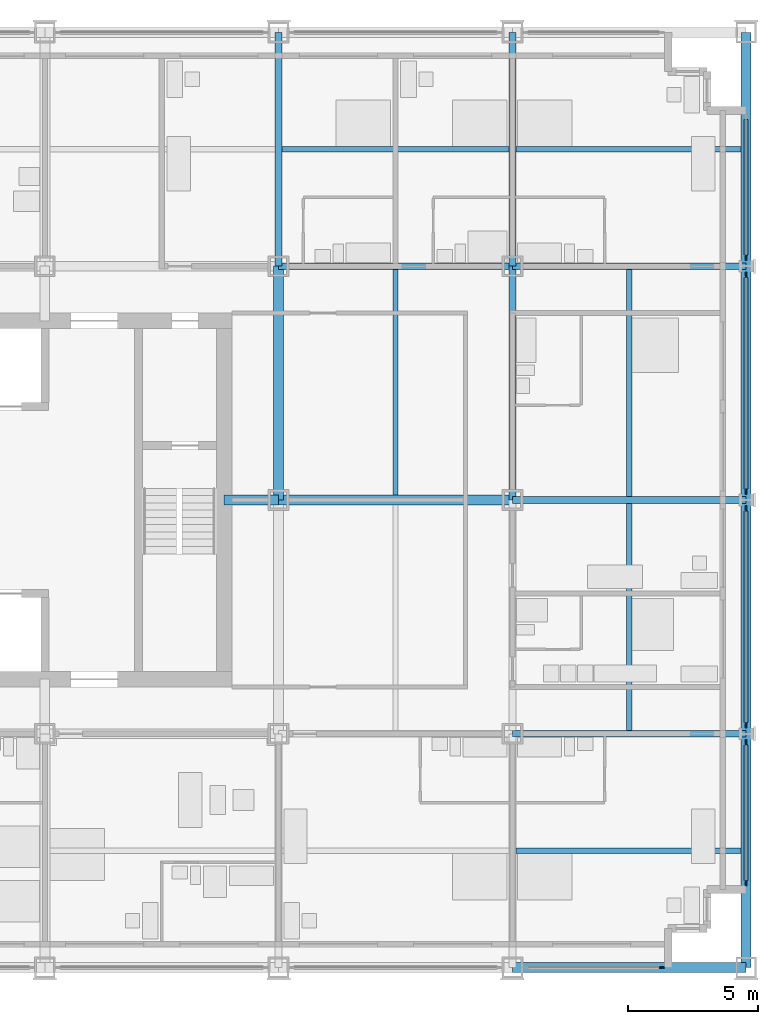
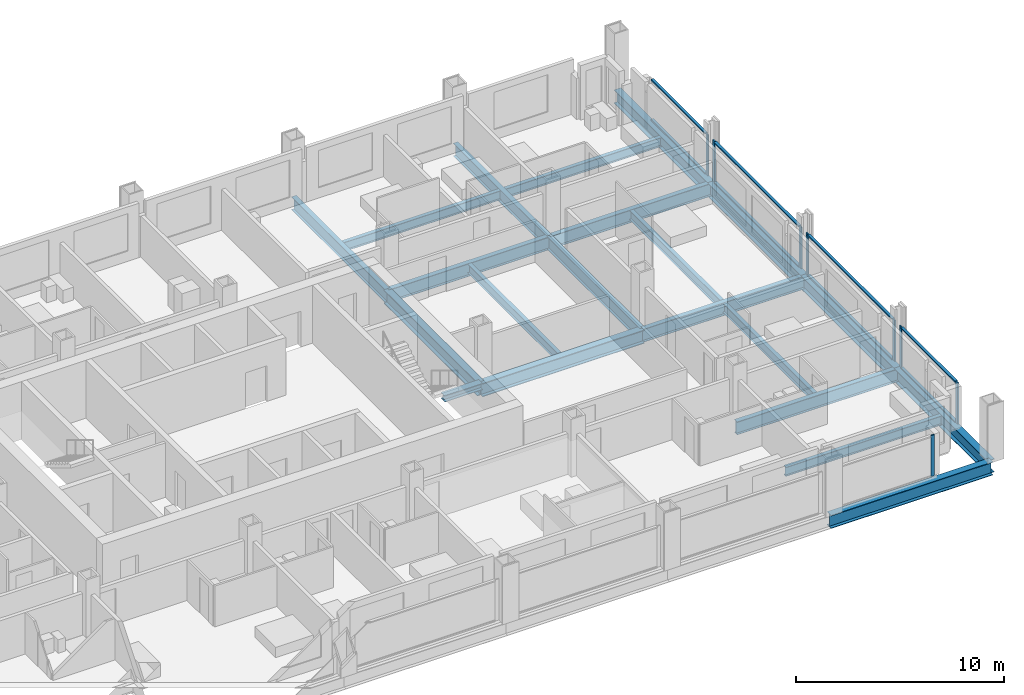
# One storey, part 6 of 18: 20 beams, 17 members, 5 elements without a shape of their own.
"""IFC4 building model written with IfcOpenShell, lengths in metres."""

from ifc_helpers import new_model, si_unit, direction, frame, origin, origin_2d, place, context, subcontext, project, spatial, rectangle, i_section, extrude, material, material_profile, profile_set, type_object, element, aggregate, save


model = new_model("IFC4")

# Units and contexts
model_context = context("Model", 3, precision=1e-05, world=origin(), true_north=direction((0.0, 1.0)))
body_context = subcontext(model_context, "Body", "Model", "MODEL_VIEW")
ifc_project = project(units=[si_unit("LENGTHUNIT", "METRE"), si_unit("AREAUNIT", "SQUARE_METRE"), si_unit("VOLUMEUNIT", "CUBIC_METRE"), si_unit("PLANEANGLEUNIT", "RADIAN"), si_unit("MASSUNIT", "GRAM", prefix="KILO")], contexts=[model_context])

# Site, building, storey
site_placement = place(None, origin())
site = spatial("IfcSite", under=ifc_project, at=site_placement, CompositionType="ELEMENT")
building_placement = place(site_placement, origin())
building = spatial("IfcBuilding", under=site, at=building_placement, Name="Loomwork Tower", CompositionType="ELEMENT")
storey_placement = place(building_placement, frame((0.0, 0.0, 68.800048828125)))
storey = spatial("IfcBuildingStorey", under=building, at=storey_placement, Name="L17", CompositionType="ELEMENT", Elevation=68.800048828125)

# Beams
ifc_material_1 = material(Name="Steel ASTM A992", Category="steel")
ifc_material_profile_1 = material_profile(ifc_material_1, i_section(OverallWidth=0.383544921875, OverallDepth=0.794921875, WebThickness=0.02099609375, FlangeThickness=0.0380859375, at=origin_2d()), Name="W30x235")
ifc_profile_set_1 = profile_set([ifc_material_profile_1], Name="Steel ASTM A992")
beam_type_1 = type_object("IfcBeamType", Name="CORE FLANK GIRDER W30x235", PredefinedType="BEAM", material=ifc_profile_set_1)
for number, where, z_axis, x_axis, name in (
    (1, (36.0, 18.0, -0.59765625), (1.0, 0.0, 0.0), (0.0, 1.0, 0.0), "Core Flank Girder F/6-F/7 L17"),
    (2, (36.0, 18.0, -0.59765625), (0.0, 1.0, 0.0), (-1.0, 0.0, 0.0), "Core Flank Girder F/6-G/6 L17"),
):
    element("IfcBeam", number, at=place(storey_placement, frame(where, z_axis=z_axis, x_axis=x_axis)), inside=storey, type_object=beam_type_1, Name=name, PredefinedType="BEAM", context=body_context, shape_type="SweptSolid", body=[
        extrude(i_section(OverallWidth=0.383544921875, OverallDepth=0.794921875, WebThickness=0.02099609375, FlangeThickness=0.0380859375, at=origin_2d()), origin(), (0.0, 0.0, 1.0), 9.0),
    ])

# Member
ifc_material_2 = material(Name="Steel ASTM A992", Category="steel")
ifc_material_profile_2 = material_profile(ifc_material_2, i_section(OverallWidth=0.373291015625, OverallDepth=0.373291015625, WebThickness=0.016357421875, FlangeThickness=0.026123046875, at=origin_2d()), Name="W14x132")
ifc_profile_set_2 = profile_set([ifc_material_profile_2], Name="Steel ASTM A992")
member_type_1 = type_object("IfcMemberType", Name="CORE LINK STRUT W14x132", PredefinedType="STRUT", material=ifc_profile_set_2)
member_1_placement = place(storey_placement, frame((36.0, 18.0, -0.38671875), z_axis=(-1.0, 0.0, 0.0), x_axis=(0.0, -1.0, 0.0)))
element("IfcMember", 3, at=member_1_placement, inside=storey, type_object=member_type_1, Name="Core link strut F/6-33.900,18.000 L17", PredefinedType="STRUT", context=body_context, shape_type="SweptSolid", body=[
    extrude(i_section(OverallWidth=0.373291015625, OverallDepth=0.373291015625, WebThickness=0.016357421875, FlangeThickness=0.026123046875, at=origin_2d()), origin(), (0.0, 0.0, 1.0), 2.10009765625),
])

# Beams
ifc_material_3 = material(Name="Steel ASTM A992", Category="steel")
ifc_material_profile_3 = material_profile(ifc_material_3, i_section(OverallWidth=0.2666015625, OverallDepth=0.761962890625, WebThickness=0.014404296875, FlangeThickness=0.021484375, at=origin_2d()), Name="W30x116")
ifc_profile_set_3 = profile_set([ifc_material_profile_3], Name="Steel ASTM A992")
beam_type_2 = type_object("IfcBeamType", Name="FLOOR GIRDER W30x116", PredefinedType="BEAM", material=ifc_profile_set_3)
for number, where, z_axis, x_axis, name in (
    (4, (45.0, 9.0, -0.5810546875), (1.0, 0.0, 0.0), (0.0, 1.0, 0.0), "Floor Girder E/7-E/8 L17"),
    (5, (45.0, 18.0, -0.5810546875), (1.0, 0.0, 0.0), (0.0, 1.0, 0.0), "Floor Girder F/7-F/8 L17"),
    (6, (36.0, 27.0, -0.5810546875), (1.0, 0.0, 0.0), (0.0, 1.0, 0.0), "Floor Girder G/6-G/7 L17"),
    (7, (45.0, 27.0, -0.5810546875), (1.0, 0.0, 0.0), (0.0, 1.0, 0.0), "Floor Girder G/7-G/8 L17"),
    (8, (36.0, 27.0, -0.5810546875), (0.0, 1.0, 0.0), (-1.0, 0.0, 0.0), "Floor Girder G/6-H/6 L17"),
    (9, (45.0, 18.0, -0.5810546875), (0.0, 1.0, 0.0), (-1.0, 0.0, 0.0), "Floor Girder F/7-G/7 L17"),
    (10, (45.0, 27.0, -0.5810546875), (0.0, 1.0, 0.0), (-1.0, 0.0, 0.0), "Floor Girder G/7-H/7 L17"),
):
    element("IfcBeam", number, at=place(storey_placement, frame(where, z_axis=z_axis, x_axis=x_axis)), inside=storey, type_object=beam_type_2, Name=name, PredefinedType="BEAM", context=body_context, shape_type="SweptSolid", body=[
        extrude(i_section(OverallWidth=0.2666015625, OverallDepth=0.761962890625, WebThickness=0.014404296875, FlangeThickness=0.021484375, at=origin_2d()), origin(), (0.0, 0.0, 1.0), 9.0),
    ])
ifc_material_4 = material(Name="Steel ASTM A992", Category="steel")
ifc_material_profile_4 = material_profile(ifc_material_4, i_section(OverallWidth=0.2109375, OverallDepth=0.53857421875, WebThickness=0.011474609375, FlangeThickness=0.018798828125, at=origin_2d()), Name="W21x73")
ifc_profile_set_4 = profile_set([ifc_material_profile_4], Name="Steel ASTM A992")
beam_type_3 = type_object("IfcBeamType", Name="FLOOR JOIST W21x73", PredefinedType="JOIST", material=ifc_profile_set_4)
beam_1_placement = place(storey_placement, frame((40.5, 18.19091796875, -0.46923828125), z_axis=(0.0, 1.0, 0.0), x_axis=(-1.0, 0.0, 0.0)))
element("IfcBeam", 11, at=beam_1_placement, inside=storey, type_object=beam_type_3, Name="Floor Joist 40.500,18.000-40.500,27.000 L17", PredefinedType="JOIST", context=body_context, shape_type="SweptSolid", body=[
    extrude(i_section(OverallWidth=0.2109375, OverallDepth=0.53857421875, WebThickness=0.011474609375, FlangeThickness=0.018798828125, at=origin_2d()), origin(), (0.0, 0.0, 1.0), 8.676025390625),
])
beam_2_placement = place(storey_placement, frame((36.133056640625, 31.5, -0.46923828125), z_axis=(1.0, 0.0, 0.0), x_axis=(0.0, 1.0, 0.0)))
element("IfcBeam", 12, at=beam_2_placement, inside=storey, type_object=beam_type_3, Name="Floor Joist 36.000,31.500-45.000,31.500 L17", PredefinedType="JOIST", context=body_context, shape_type="SweptSolid", body=[
    extrude(i_section(OverallWidth=0.2109375, OverallDepth=0.53857421875, WebThickness=0.011474609375, FlangeThickness=0.018798828125, at=origin_2d()), origin(), (0.0, 0.0, 1.0), 8.73388671875),
])
beam_3_placement = place(storey_placement, frame((45.133056640625, 4.5, -0.46923828125), z_axis=(1.0, 0.0, 0.0), x_axis=(0.0, 1.0, 0.0)))
element("IfcBeam", 13, at=beam_3_placement, inside=storey, type_object=beam_type_3, Name="Floor Joist 45.000,4.500-54.000,4.500 L17", PredefinedType="JOIST", context=body_context, shape_type="SweptSolid", body=[
    extrude(i_section(OverallWidth=0.2109375, OverallDepth=0.53857421875, WebThickness=0.011474609375, FlangeThickness=0.018798828125, at=origin_2d()), origin(), (0.0, 0.0, 1.0), 8.677001953125),
])
for number, where, z_axis, x_axis, name in (
    (14, (49.5, 9.133056640625, -0.46923828125), (0.0, 1.0, 0.0), (-1.0, 0.0, 0.0), "Floor Joist 49.500,9.000-49.500,18.000 L17"),
    (15, (49.5, 18.133056640625, -0.46923828125), (0.0, 1.0, 0.0), (-1.0, 0.0, 0.0), "Floor Joist 49.500,18.000-49.500,27.000 L17"),
):
    element("IfcBeam", number, at=place(storey_placement, frame(where, z_axis=z_axis, x_axis=x_axis)), inside=storey, type_object=beam_type_3, Name=name, PredefinedType="JOIST", context=body_context, shape_type="SweptSolid", body=[
        extrude(i_section(OverallWidth=0.2109375, OverallDepth=0.53857421875, WebThickness=0.011474609375, FlangeThickness=0.018798828125, at=origin_2d()), origin(), (0.0, 0.0, 1.0), 8.73388671875),
    ])
beam_4_placement = place(storey_placement, frame((45.133056640625, 31.5, -0.46923828125), z_axis=(1.0, 0.0, 0.0), x_axis=(0.0, 1.0, 0.0)))
element("IfcBeam", 16, at=beam_4_placement, inside=storey, type_object=beam_type_3, Name="Floor Joist 45.000,31.500-54.000,31.500 L17", PredefinedType="JOIST", context=body_context, shape_type="SweptSolid", body=[
    extrude(i_section(OverallWidth=0.2109375, OverallDepth=0.53857421875, WebThickness=0.011474609375, FlangeThickness=0.018798828125, at=origin_2d()), origin(), (0.0, 0.0, 1.0), 8.677001953125),
])

# Curtain wall, member
ifc_material_5 = material(Name="Aluminium curtain wall frame", Category="aluminium")
curtain_wall_type = type_object("IfcCurtainWallType", Name="Outer skin glazing hotel", PredefinedType="NOTDEFINED", material=ifc_material_5)
curtain_wall_1_placement = place(storey_placement, origin())
curtain_wall_1 = element("IfcCurtainWall", 17, at=curtain_wall_1_placement, inside=storey, type_object=curtain_wall_type, Name="Outer skin glazing hotel cw/S-45", PredefinedType="NOTDEFINED")
ifc_material_6 = material(Name="Aluminium curtain wall frame", Category="aluminium")
ifc_material_profile_5 = material_profile(ifc_material_6, rectangle(XDim=0.06494140625, YDim=0.199951171875, at=origin_2d()), Name="AL 65x200")
ifc_profile_set_5 = profile_set([ifc_material_profile_5], Name="Aluminium curtain wall frame")
member_type_2 = type_object("IfcMemberType", Name="Outer skin glazing hotel mullion", PredefinedType="MULLION", material=ifc_profile_set_5)
member_2_placement = place(storey_placement, frame((50.75, 0.0, 0.0), z_axis=(0.0, 0.0, 1.0), x_axis=(0.0, 1.0, 0.0)))
member_2 = element("IfcMember", 18, at=member_2_placement, type_object=member_type_2, Name="CW1 mullion 2", PredefinedType="MULLION", context=body_context, shape_type="SweptSolid", body=[
    extrude(rectangle(XDim=0.06494140625, YDim=0.199951171875, at=origin_2d()), origin(), (0.0, 0.0, 1.0), 2.420166015625),
])
aggregate(curtain_wall_1, [member_2])

# Curtain wall, members
curtain_wall_2_placement = place(storey_placement, origin())
curtain_wall_2 = element("IfcCurtainWall", 19, at=curtain_wall_2_placement, inside=storey, type_object=curtain_wall_type, Name="Outer skin glazing hotel cw/E-0", PredefinedType="NOTDEFINED")
member_3_placement = place(storey_placement, frame((54.0, 3.25, 0.0), z_axis=(0.0, 0.0, 1.0), x_axis=(-1.0, 0.0, 0.0)))
member_3 = element("IfcMember", 20, at=member_3_placement, type_object=member_type_2, Name="CW1 mullion 1", PredefinedType="MULLION", context=body_context, shape_type="SweptSolid", body=[
    extrude(rectangle(XDim=0.06494140625, YDim=0.199951171875, at=origin_2d()), origin(), (0.0, 0.0, 1.0), 2.420166015625),
])
member_4_placement = place(storey_placement, frame((54.0, 8.672607421875, 0.0), z_axis=(0.0, 0.0, 1.0), x_axis=(-1.0, 0.0, 0.0)))
member_4 = element("IfcMember", 21, at=member_4_placement, type_object=member_type_2, Name="CW1 mullion 2", PredefinedType="MULLION", context=body_context, shape_type="SweptSolid", body=[
    extrude(rectangle(XDim=0.06494140625, YDim=0.199951171875, at=origin_2d()), origin(), (0.0, 0.0, 1.0), 2.420166015625),
])

curtain_wall_3_placement = place(storey_placement, origin())
curtain_wall_3 = element("IfcCurtainWall", 22, at=curtain_wall_3_placement, inside=storey, type_object=curtain_wall_type, Name="Outer skin glazing hotel cw/E-9", PredefinedType="NOTDEFINED")
member_5_placement = place(storey_placement, frame((54.0, 9.327392578125, 0.0), z_axis=(0.0, 0.0, 1.0), x_axis=(-1.0, 0.0, 0.0)))
member_5 = element("IfcMember", 23, at=member_5_placement, type_object=member_type_2, Name="CW1 mullion 1", PredefinedType="MULLION", context=body_context, shape_type="SweptSolid", body=[
    extrude(rectangle(XDim=0.06494140625, YDim=0.199951171875, at=origin_2d()), origin(), (0.0, 0.0, 1.0), 2.420166015625),
])
member_6_placement = place(storey_placement, frame((54.0, 17.672607421875, 0.0), z_axis=(0.0, 0.0, 1.0), x_axis=(-1.0, 0.0, 0.0)))
member_6 = element("IfcMember", 24, at=member_6_placement, type_object=member_type_2, Name="CW1 mullion 2", PredefinedType="MULLION", context=body_context, shape_type="SweptSolid", body=[
    extrude(rectangle(XDim=0.06494140625, YDim=0.199951171875, at=origin_2d()), origin(), (0.0, 0.0, 1.0), 2.420166015625),
])

curtain_wall_4_placement = place(storey_placement, origin())
curtain_wall_4 = element("IfcCurtainWall", 25, at=curtain_wall_4_placement, inside=storey, type_object=curtain_wall_type, Name="Outer skin glazing hotel cw/E-18", PredefinedType="NOTDEFINED")
member_7_placement = place(storey_placement, frame((54.0, 18.327392578125, 0.0), z_axis=(0.0, 0.0, 1.0), x_axis=(-1.0, 0.0, 0.0)))
member_7 = element("IfcMember", 26, at=member_7_placement, type_object=member_type_2, Name="CW1 mullion 1", PredefinedType="MULLION", context=body_context, shape_type="SweptSolid", body=[
    extrude(rectangle(XDim=0.06494140625, YDim=0.199951171875, at=origin_2d()), origin(), (0.0, 0.0, 1.0), 2.420166015625),
])
member_8_placement = place(storey_placement, frame((54.0, 26.672607421875, 0.0), z_axis=(0.0, 0.0, 1.0), x_axis=(-1.0, 0.0, 0.0)))
member_8 = element("IfcMember", 27, at=member_8_placement, type_object=member_type_2, Name="CW1 mullion 2", PredefinedType="MULLION", context=body_context, shape_type="SweptSolid", body=[
    extrude(rectangle(XDim=0.06494140625, YDim=0.199951171875, at=origin_2d()), origin(), (0.0, 0.0, 1.0), 2.420166015625),
])

# Curtain wall, member
curtain_wall_5_placement = place(storey_placement, origin())
curtain_wall_5 = element("IfcCurtainWall", 28, at=curtain_wall_5_placement, inside=storey, type_object=curtain_wall_type, Name="Outer skin glazing hotel cw/E-27", PredefinedType="NOTDEFINED")
member_9_placement = place(storey_placement, frame((54.0, 27.327392578125, 0.0), z_axis=(0.0, 0.0, 1.0), x_axis=(-1.0, 0.0, 0.0)))
member_9 = element("IfcMember", 29, at=member_9_placement, type_object=member_type_2, Name="CW1 mullion 1", PredefinedType="MULLION", context=body_context, shape_type="SweptSolid", body=[
    extrude(rectangle(XDim=0.06494140625, YDim=0.199951171875, at=origin_2d()), origin(), (0.0, 0.0, 1.0), 2.420166015625),
])

# Member
ifc_material_7 = material(Name="Aluminium curtain wall frame", Category="aluminium")
ifc_material_profile_6 = material_profile(ifc_material_7, rectangle(XDim=0.14990234375, YDim=0.06494140625, at=origin_2d()), Name="AL 65x150")
ifc_profile_set_6 = profile_set([ifc_material_profile_6], Name="Aluminium curtain wall frame")
member_type_3 = type_object("IfcMemberType", Name="Outer skin glazing hotel transom", PredefinedType="USERDEFINED", material=ifc_profile_set_6)
member_10_placement = place(storey_placement, frame((54.0, 3.35009765625, 0.032470703125), z_axis=(0.0, 1.0, 0.0), x_axis=(-1.0, 0.0, 0.0)))
member_10 = element("IfcMember", 30, at=member_10_placement, type_object=member_type_3, Name="CW1 transom 1.1", ObjectType="TRANSOM", PredefinedType="USERDEFINED", context=body_context, shape_type="SweptSolid", body=[
    extrude(rectangle(XDim=0.14990234375, YDim=0.06494140625, at=origin_2d()), origin(), (0.0, 0.0, 1.0), 5.22265625),
])

member_11_placement = place(storey_placement, frame((54.0, 3.35009765625, 2.3876953125), z_axis=(0.0, 1.0, 0.0), x_axis=(-1.0, 0.0, 0.0)))
member_11 = element("IfcMember", 31, at=member_11_placement, type_object=member_type_3, Name="CW1 transom 1.2", ObjectType="TRANSOM", PredefinedType="USERDEFINED", context=body_context, shape_type="SweptSolid", body=[
    extrude(rectangle(XDim=0.14990234375, YDim=0.06494140625, at=origin_2d()), origin(), (0.0, 0.0, 1.0), 5.22265625),
])

aggregate(curtain_wall_2, [member_3, member_4, member_10, member_11])

member_12_placement = place(storey_placement, frame((54.0, 9.42724609375, 0.032470703125), z_axis=(0.0, 1.0, 0.0), x_axis=(-1.0, 0.0, 0.0)))
member_12 = element("IfcMember", 32, at=member_12_placement, type_object=member_type_3, Name="CW1 transom 1.1", ObjectType="TRANSOM", PredefinedType="USERDEFINED", context=body_context, shape_type="SweptSolid", body=[
    extrude(rectangle(XDim=0.14990234375, YDim=0.06494140625, at=origin_2d()), origin(), (0.0, 0.0, 1.0), 8.1455078125),
])

member_13_placement = place(storey_placement, frame((54.0, 9.42724609375, 2.3876953125), z_axis=(0.0, 1.0, 0.0), x_axis=(-1.0, 0.0, 0.0)))
member_13 = element("IfcMember", 33, at=member_13_placement, type_object=member_type_3, Name="CW1 transom 1.2", ObjectType="TRANSOM", PredefinedType="USERDEFINED", context=body_context, shape_type="SweptSolid", body=[
    extrude(rectangle(XDim=0.14990234375, YDim=0.06494140625, at=origin_2d()), origin(), (0.0, 0.0, 1.0), 8.1455078125),
])

aggregate(curtain_wall_3, [member_5, member_6, member_12, member_13])

member_14_placement = place(storey_placement, frame((54.0, 18.42724609375, 0.032470703125), z_axis=(0.0, 1.0, 0.0), x_axis=(-1.0, 0.0, 0.0)))
member_14 = element("IfcMember", 34, at=member_14_placement, type_object=member_type_3, Name="CW1 transom 1.1", ObjectType="TRANSOM", PredefinedType="USERDEFINED", context=body_context, shape_type="SweptSolid", body=[
    extrude(rectangle(XDim=0.14990234375, YDim=0.06494140625, at=origin_2d()), origin(), (0.0, 0.0, 1.0), 8.1455078125),
])

member_15_placement = place(storey_placement, frame((54.0, 18.42724609375, 2.3876953125), z_axis=(0.0, 1.0, 0.0), x_axis=(-1.0, 0.0, 0.0)))
member_15 = element("IfcMember", 35, at=member_15_placement, type_object=member_type_3, Name="CW1 transom 1.2", ObjectType="TRANSOM", PredefinedType="USERDEFINED", context=body_context, shape_type="SweptSolid", body=[
    extrude(rectangle(XDim=0.14990234375, YDim=0.06494140625, at=origin_2d()), origin(), (0.0, 0.0, 1.0), 8.1455078125),
])

aggregate(curtain_wall_4, [member_7, member_8, member_14, member_15])

member_16_placement = place(storey_placement, frame((54.0, 27.42724609375, 0.032470703125), z_axis=(0.0, 1.0, 0.0), x_axis=(-1.0, 0.0, 0.0)))
member_16 = element("IfcMember", 36, at=member_16_placement, type_object=member_type_3, Name="CW1 transom 1.1", ObjectType="TRANSOM", PredefinedType="USERDEFINED", context=body_context, shape_type="SweptSolid", body=[
    extrude(rectangle(XDim=0.14990234375, YDim=0.06494140625, at=origin_2d()), origin(), (0.0, 0.0, 1.0), 5.22265625),
])

member_17_placement = place(storey_placement, frame((54.0, 27.42724609375, 2.3876953125), z_axis=(0.0, 1.0, 0.0), x_axis=(-1.0, 0.0, 0.0)))
member_17 = element("IfcMember", 37, at=member_17_placement, type_object=member_type_3, Name="CW1 transom 1.2", ObjectType="TRANSOM", PredefinedType="USERDEFINED", context=body_context, shape_type="SweptSolid", body=[
    extrude(rectangle(XDim=0.14990234375, YDim=0.06494140625, at=origin_2d()), origin(), (0.0, 0.0, 1.0), 5.22265625),
])

aggregate(curtain_wall_5, [member_9, member_16, member_17])

# Beams
ifc_material_8 = material(Name="Steel ASTM A992", Category="steel")
ifc_material_profile_7 = material_profile(ifc_material_8, i_section(OverallWidth=0.381103515625, OverallDepth=0.77978515625, WebThickness=0.01806640625, FlangeThickness=0.0302734375, at=origin_2d()), Name="W30x191")
ifc_profile_set_7 = profile_set([ifc_material_profile_7], Name="Steel ASTM A992")
beam_type_4 = type_object("IfcBeamType", Name="SPANDREL GIRDER W30x191", PredefinedType="SPANDREL", material=ifc_profile_set_7)
for number, where, z_axis, x_axis, name in (
    (38, (45.0, 0.0, -0.58984375), (1.0, 0.0, 0.0), (0.0, 1.0, 0.0), "Spandrel Girder D/7-D/8 L17"),
    (39, (54.0, 0.0, -0.58984375), (0.0, 1.0, 0.0), (-1.0, 0.0, 0.0), "Spandrel Girder D/8-E/8 L17"),
    (40, (54.0, 9.0, -0.58984375), (0.0, 1.0, 0.0), (-1.0, 0.0, 0.0), "Spandrel Girder E/8-F/8 L17"),
    (41, (54.0, 18.0, -0.58984375), (0.0, 1.0, 0.0), (-1.0, 0.0, 0.0), "Spandrel Girder F/8-G/8 L17"),
    (42, (54.0, 27.0, -0.58984375), (0.0, 1.0, 0.0), (-1.0, 0.0, 0.0), "Spandrel Girder G/8-H/8 L17"),
):
    element("IfcBeam", number, at=place(storey_placement, frame(where, z_axis=z_axis, x_axis=x_axis)), inside=storey, type_object=beam_type_4, Name=name, PredefinedType="SPANDREL", context=body_context, shape_type="SweptSolid", body=[
        extrude(i_section(OverallWidth=0.381103515625, OverallDepth=0.77978515625, WebThickness=0.01806640625, FlangeThickness=0.0302734375, at=origin_2d()), origin(), (0.0, 0.0, 1.0), 9.0),
    ])

save(model, "model.ifc")
